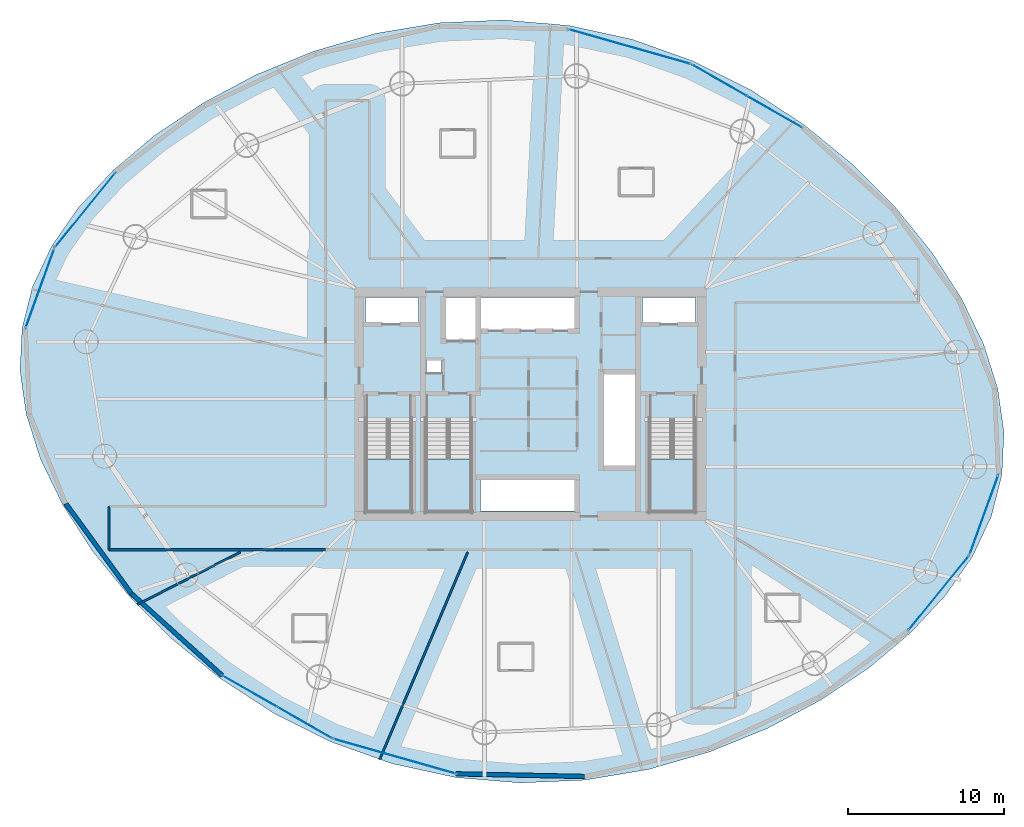
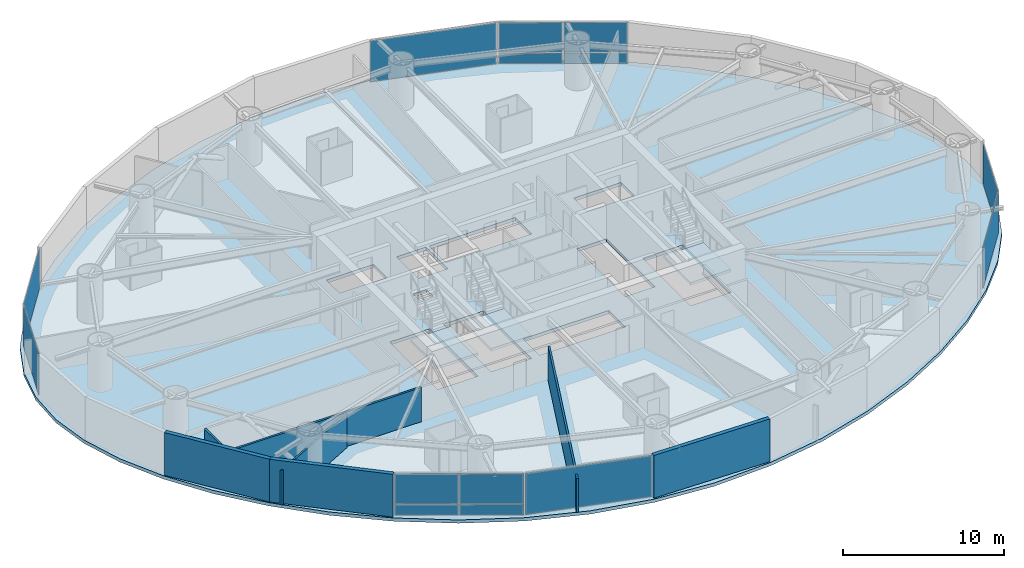
# One storey, part 15 of 23: 14 plates, 7 walls, 4 slabs, 11 elements without a shape of their own.
"""IFC4 building model written with IfcOpenShell, lengths in metres."""

from ifc_helpers import new_model, si_unit, direction, frame, frame_2d, origin, origin_2d, place, context, subcontext, project, spatial, polyline, rectangle, outline, extrude, material, layer, layer_set, type_object, element, aggregate, save


model = new_model("IFC4")

# Units and contexts
model_context = context("Model", 3, precision=1e-05, world=origin(), true_north=direction((0.0, 1.0)))
body_context = subcontext(model_context, "Body", "Model", "MODEL_VIEW")
ifc_project = project(units=[si_unit("LENGTHUNIT", "METRE"), si_unit("AREAUNIT", "SQUARE_METRE"), si_unit("VOLUMEUNIT", "CUBIC_METRE"), si_unit("PLANEANGLEUNIT", "RADIAN"), si_unit("MASSUNIT", "GRAM", prefix="KILO")], contexts=[model_context])

# Site, building, storey
site_placement = place(None, origin())
site = spatial("IfcSite", under=ifc_project, at=site_placement, CompositionType="ELEMENT")
building_placement = place(site_placement, origin())
building = spatial("IfcBuilding", under=site, at=building_placement, Name="Bramvorn Convention Spire", CompositionType="ELEMENT")
storey_placement = place(building_placement, frame((0.0, 0.0, 69.39990234375)))
storey = spatial("IfcBuildingStorey", under=building, at=storey_placement, Name="L15", CompositionType="ELEMENT", Elevation=69.39990234375)

# Curtain wall, plates
ifc_material_1 = material(Name="Anodised Bronze Unitised Curtain Wall", Category="aluminium")
ifc_layer_1 = layer(ifc_material_1, 0.179931640625)
ifc_layer_set_1 = layer_set([ifc_layer_1], Name="Anodised Bronze Unitised Curtain Wall - CW-HTL-FRIT")
curtain_wall_type = type_object("IfcCurtainWallType", Name="CW-HTL-FRIT", PredefinedType="USERDEFINED", material=ifc_layer_set_1)
curtain_wall_1_placement = place(storey_placement, origin())
curtain_wall_1 = element("IfcCurtainWall", 1, at=curtain_wall_1_placement, inside=storey, type_object=curtain_wall_type, Name="L15 fritted glass curtain wall 05", ObjectType="UNITISED CURTAIN WALL", PredefinedType="USERDEFINED")
ifc_material_2 = material(Name="Laminated Low-E Glass (Triple IGU Bronze Ceramic Frit 35%)", Category="glass")
ifc_layer_2 = layer(ifc_material_2, 0.035888671875)
ifc_layer_set_2 = layer_set([ifc_layer_2], Name="Laminated Low-E Glass (Triple IGU Bronze Ceramic Frit 35%) - PNL-IGU-1")
plate_type = type_object("IfcPlateType", Name="PNL-IGU-1", PredefinedType="CURTAIN_PANEL", material=ifc_layer_set_2)
plate_1_placement = place(storey_placement, frame((50.11865234375, 46.799560546875, 0.06005859375), z_axis=(0.0, 0.0, 1.0), x_axis=(0.867972630809, -0.496612033852, 0.0)))
plate_1 = element("IfcPlate", 2, at=plate_1_placement, type_object=plate_type, Name="CW2 panel 1.1", PredefinedType="CURTAIN_PANEL", context=body_context, shape_type="SweptSolid", body=[
    extrude(rectangle(XDim=3.995361328125, YDim=0.028076171875, at=origin_2d()), origin(), (0.0, 0.0, 1.0), 0.81005859375),
])
plate_2_placement = place(storey_placement, frame((50.11865234375, 46.799560546875, 0.93017578125), z_axis=(0.0, 0.0, 1.0), x_axis=(0.867972630809, -0.496612033852, 0.0)))
plate_2 = element("IfcPlate", 3, at=plate_2_placement, type_object=plate_type, Name="CW2 panel 1.2", PredefinedType="CURTAIN_PANEL", context=body_context, shape_type="SweptSolid", body=[
    extrude(rectangle(XDim=3.995361328125, YDim=0.028076171875, at=origin_2d()), origin(), (0.0, 0.0, 1.0), 2.260009765625),
])
plate_3_placement = place(storey_placement, frame((53.638671875, 44.78564453125, 0.06005859375), z_axis=(0.0, 0.0, 1.0), x_axis=(0.867972630809, -0.496612033852, 0.0)))
plate_3 = element("IfcPlate", 4, at=plate_3_placement, type_object=plate_type, Name="CW2 panel 2.1", PredefinedType="CURTAIN_PANEL", context=body_context, shape_type="SweptSolid", body=[
    extrude(rectangle(XDim=3.995361328125, YDim=0.028076171875, at=origin_2d()), origin(), (0.0, 0.0, 1.0), 0.81005859375),
])
plate_4_placement = place(storey_placement, frame((53.638671875, 44.78564453125, 0.93017578125), z_axis=(0.0, 0.0, 1.0), x_axis=(0.867972630809, -0.496612033852, 0.0)))
plate_4 = element("IfcPlate", 5, at=plate_4_placement, type_object=plate_type, Name="CW2 panel 2.2", PredefinedType="CURTAIN_PANEL", context=body_context, shape_type="SweptSolid", body=[
    extrude(rectangle(XDim=3.995361328125, YDim=0.028076171875, at=origin_2d()), origin(), (0.0, 0.0, 1.0), 2.260009765625),
])
aggregate(curtain_wall_1, [plate_1, plate_2, plate_3, plate_4])

# Curtain wall, plate
curtain_wall_2_placement = place(storey_placement, origin())
curtain_wall_2 = element("IfcCurtainWall", 6, at=curtain_wall_2_placement, inside=storey, type_object=curtain_wall_type, Name="L15 fritted glass curtain wall 06", ObjectType="UNITISED CURTAIN WALL", PredefinedType="USERDEFINED")
plate_5_placement = place(storey_placement, frame((44.36962890625, 48.950927734375, 0.06005859375), z_axis=(0.0, 0.0, 1.0), x_axis=(0.961710085079, -0.274068809349, 0.0)))
plate_5 = element("IfcPlate", 7, at=plate_5_placement, type_object=plate_type, Name="CW2 panel 1.1", PredefinedType="CURTAIN_PANEL", context=body_context, shape_type="SweptSolid", body=[
    extrude(rectangle(XDim=8.121337890625, YDim=0.028076171875, at=origin_2d()), origin(), (0.0, 0.0, 1.0), 3.1298828125),
])
aggregate(curtain_wall_2, [plate_5])

curtain_wall_3_placement = place(storey_placement, origin())
curtain_wall_3 = element("IfcCurtainWall", 8, at=curtain_wall_3_placement, inside=storey, type_object=curtain_wall_type, Name="L15 fritted glass curtain wall 11", ObjectType="UNITISED CURTAIN WALL", PredefinedType="USERDEFINED")
plate_6_placement = place(storey_placement, frame((9.40771484375, 38.4560546875, 0.06005859375), z_axis=(0.0, 0.0, 1.0), x_axis=(0.630289561398, 0.776360141167, 0.0)))
plate_6 = element("IfcPlate", 9, at=plate_6_placement, type_object=plate_type, Name="CW2 panel 1.1", PredefinedType="CURTAIN_PANEL", context=body_context, shape_type="SweptSolid", body=[
    extrude(rectangle(XDim=6.092041015625, YDim=0.028076171875, at=origin_2d()), origin(), (0.0, 0.0, 1.0), 3.1298828125),
])
aggregate(curtain_wall_3, [plate_6])

curtain_wall_4_placement = place(storey_placement, origin())
curtain_wall_4 = element("IfcCurtainWall", 10, at=curtain_wall_4_placement, inside=storey, type_object=curtain_wall_type, Name="L15 fritted glass curtain wall 12", ObjectType="UNITISED CURTAIN WALL", PredefinedType="USERDEFINED")
plate_7_placement = place(storey_placement, frame((6.51708984375, 33.458984375, 0.06005859375), z_axis=(0.0, 0.0, 1.0), x_axis=(0.339358369788, 0.94065716223, 0.0)))
plate_7 = element("IfcPlate", 11, at=plate_7_placement, type_object=plate_type, Name="CW2 panel 1.1", PredefinedType="CURTAIN_PANEL", context=body_context, shape_type="SweptSolid", body=[
    extrude(rectangle(XDim=5.37744140625, YDim=0.028076171875, at=origin_2d()), origin(), (0.0, 0.0, 1.0), 3.1298828125),
])
aggregate(curtain_wall_4, [plate_7])

# Curtain wall, plates
curtain_wall_5_placement = place(storey_placement, origin())
curtain_wall_5 = element("IfcCurtainWall", 12, at=curtain_wall_5_placement, inside=storey, type_object=curtain_wall_type, Name="L15 fritted glass curtain wall 17", ObjectType="UNITISED CURTAIN WALL", PredefinedType="USERDEFINED")
plate_8_placement = place(storey_placement, frame((23.508056640625, 5.55712890625, 0.06005859375), z_axis=(0.0, 0.0, 1.0), x_axis=(-0.867980924477, 0.496597537996, 0.0)))
plate_8 = element("IfcPlate", 13, at=plate_8_placement, type_object=plate_type, Name="CW2 panel 1.1", PredefinedType="CURTAIN_PANEL", context=body_context, shape_type="SweptSolid", body=[
    extrude(rectangle(XDim=3.995361328125, YDim=0.028076171875, at=origin_2d()), origin(), (0.0, 0.0, 1.0), 0.81005859375),
])
plate_9_placement = place(storey_placement, frame((23.508056640625, 5.55712890625, 0.93017578125), z_axis=(0.0, 0.0, 1.0), x_axis=(-0.867980924477, 0.496597537996, 0.0)))
plate_9 = element("IfcPlate", 14, at=plate_9_placement, type_object=plate_type, Name="CW2 panel 1.2", PredefinedType="CURTAIN_PANEL", context=body_context, shape_type="SweptSolid", body=[
    extrude(rectangle(XDim=3.995361328125, YDim=0.028076171875, at=origin_2d()), origin(), (0.0, 0.0, 1.0), 2.260009765625),
])
plate_10_placement = place(storey_placement, frame((19.988037109375, 7.571044921875, 0.06005859375), z_axis=(0.0, 0.0, 1.0), x_axis=(-0.867980924477, 0.496597537996, 0.0)))
plate_10 = element("IfcPlate", 15, at=plate_10_placement, type_object=plate_type, Name="CW2 panel 2.1", PredefinedType="CURTAIN_PANEL", context=body_context, shape_type="SweptSolid", body=[
    extrude(rectangle(XDim=3.995361328125, YDim=0.028076171875, at=origin_2d()), origin(), (0.0, 0.0, 1.0), 0.81005859375),
])
plate_11_placement = place(storey_placement, frame((19.988037109375, 7.571044921875, 0.93017578125), z_axis=(0.0, 0.0, 1.0), x_axis=(-0.867980924477, 0.496597537996, 0.0)))
plate_11 = element("IfcPlate", 16, at=plate_11_placement, type_object=plate_type, Name="CW2 panel 2.2", PredefinedType="CURTAIN_PANEL", context=body_context, shape_type="SweptSolid", body=[
    extrude(rectangle(XDim=3.995361328125, YDim=0.028076171875, at=origin_2d()), origin(), (0.0, 0.0, 1.0), 2.260009765625),
])
aggregate(curtain_wall_5, [plate_8, plate_9, plate_10, plate_11])

# Curtain wall, plate
curtain_wall_6_placement = place(storey_placement, origin())
curtain_wall_6 = element("IfcCurtainWall", 17, at=curtain_wall_6_placement, inside=storey, type_object=curtain_wall_type, Name="L15 fritted glass curtain wall 18", ObjectType="UNITISED CURTAIN WALL", PredefinedType="USERDEFINED")
plate_12_placement = place(storey_placement, frame((29.257080078125, 3.406005859375, 0.06005859375), z_axis=(0.0, 0.0, 1.0), x_axis=(-0.96170688683, 0.274080031786, 0.0)))
plate_12 = element("IfcPlate", 18, at=plate_12_placement, type_object=plate_type, Name="CW2 panel 1.1", PredefinedType="CURTAIN_PANEL", context=body_context, shape_type="SweptSolid", body=[
    extrude(rectangle(XDim=8.121337890625, YDim=0.028076171875, at=origin_2d()), origin(), (0.0, 0.0, 1.0), 3.1298828125),
])
aggregate(curtain_wall_6, [plate_12])

curtain_wall_7_placement = place(storey_placement, origin())
curtain_wall_7 = element("IfcCurtainWall", 19, at=curtain_wall_7_placement, inside=storey, type_object=curtain_wall_type, Name="L15 fritted glass curtain wall 23", ObjectType="UNITISED CURTAIN WALL", PredefinedType="USERDEFINED")
plate_13_placement = place(storey_placement, frame((64.218994140625, 13.900634765625, 0.06005859375), z_axis=(0.0, 0.0, 1.0), x_axis=(-0.630281684347, -0.7763665361, 0.0)))
plate_13 = element("IfcPlate", 20, at=plate_13_placement, type_object=plate_type, Name="CW2 panel 1.1", PredefinedType="CURTAIN_PANEL", context=body_context, shape_type="SweptSolid", body=[
    extrude(rectangle(XDim=6.092041015625, YDim=0.028076171875, at=origin_2d()), origin(), (0.0, 0.0, 1.0), 3.1298828125),
])
aggregate(curtain_wall_7, [plate_13])

curtain_wall_8_placement = place(storey_placement, origin())
curtain_wall_8 = element("IfcCurtainWall", 21, at=curtain_wall_8_placement, inside=storey, type_object=curtain_wall_type, Name="L15 fritted glass curtain wall 24", ObjectType="UNITISED CURTAIN WALL", PredefinedType="USERDEFINED")
plate_14_placement = place(storey_placement, frame((67.109619140625, 18.897705078125, 0.06005859375), z_axis=(0.0, 0.0, 1.0), x_axis=(-0.339364176592, -0.940655067305, 0.0)))
plate_14 = element("IfcPlate", 22, at=plate_14_placement, type_object=plate_type, Name="CW2 panel 1.1", PredefinedType="CURTAIN_PANEL", context=body_context, shape_type="SweptSolid", body=[
    extrude(rectangle(XDim=5.37744140625, YDim=0.028076171875, at=origin_2d()), origin(), (0.0, 0.0, 1.0), 3.1298828125),
])
aggregate(curtain_wall_8, [plate_14])

# Stair, slab
ifc_material_3 = material(Name="Concrete C40/50 Precast Stair", Category="concrete")
stair_type = type_object("IfcStairType", Name="ST-TOWER-1550", PredefinedType="HALF_TURN_STAIR", material=ifc_material_3)
stair_1_placement = place(storey_placement, origin())
stair_1 = element("IfcStair", 23, at=stair_1_placement, inside=storey, type_object=stair_type, Name="L15 Protected Exit Stair ST1", PredefinedType="HALF_TURN_STAIR")
ifc_material_4 = material(Name="Concrete C40/50 Stair Landing", Category="concrete")
ifc_layer_3 = layer(ifc_material_4, 0.219970703125)
ifc_layer_set_3 = layer_set([ifc_layer_3], Name="Concrete C40/50 Stair Landing - SLB-STAIR-LANDING")
slab_type_1 = type_object("IfcSlabType", Name="SLB-STAIR-LANDING", PredefinedType="LANDING", material=ifc_layer_set_3)
slab_1_placement = place(storey_placement, frame((0.0, 0.0, 1.550048828125)))
slab_1 = element("IfcSlab", 24, at=slab_1_placement, type_object=slab_type_1, Name="ST1 landing 1", PredefinedType="LANDING", context=body_context, shape_type="SweptSolid", body=[
    extrude(outline(polyline([(27.449951171875, 22.485107421875), (27.449951171875, 19.10009765625), (30.35009765625, 19.10009765625), (30.35009765625, 22.485107421875), (27.449951171875, 22.485107421875)])), origin(), (0.0, 0.0, 1.0), 0.199951171875),
])
aggregate(stair_1, [slab_1])

stair_2_placement = place(storey_placement, origin())
stair_2 = element("IfcStair", 25, at=stair_2_placement, inside=storey, type_object=stair_type, Name="L15 Protected Exit Stair ST2", PredefinedType="HALF_TURN_STAIR")
slab_2_placement = place(storey_placement, frame((0.0, 0.0, 1.550048828125)))
slab_2 = element("IfcSlab", 26, at=slab_2_placement, type_object=slab_type_1, Name="ST2 landing 1", PredefinedType="LANDING", context=body_context, shape_type="SweptSolid", body=[
    extrude(outline(polyline([(45.64990234375, 22.485107421875), (45.64990234375, 19.10009765625), (48.550048828125, 19.10009765625), (48.550048828125, 22.485107421875), (45.64990234375, 22.485107421875)])), origin(), (0.0, 0.0, 1.0), 0.199951171875),
])
aggregate(stair_2, [slab_2])

stair_3_placement = place(storey_placement, origin())
stair_3 = element("IfcStair", 27, at=stair_3_placement, inside=storey, type_object=stair_type, Name="L15 Protected Exit Stair ST3", PredefinedType="HALF_TURN_STAIR")
slab_3_placement = place(storey_placement, frame((0.0, 0.0, 1.550048828125)))
slab_3 = element("IfcSlab", 28, at=slab_3_placement, type_object=slab_type_1, Name="ST3 landing 1", PredefinedType="LANDING", context=body_context, shape_type="SweptSolid", body=[
    extrude(outline(polyline([(31.300048828125, 22.485107421875), (31.300048828125, 19.10009765625), (34.199951171875, 19.10009765625), (34.199951171875, 22.485107421875), (31.300048828125, 22.485107421875)])), origin(), (0.0, 0.0, 1.0), 0.199951171875),
])
aggregate(stair_3, [slab_3])

# Slab
ifc_material_5 = material(Name="Concrete C50/60", Category="concrete")
ifc_layer_4 = layer(ifc_material_5, 0.25)
ifc_layer_set_4 = layer_set([ifc_layer_4], Name="Concrete C50/60 - SLB-Z1-250")
slab_type_2 = type_object("IfcSlabType", Name="SLB-Z1-250", PredefinedType="FLOOR", material=ifc_layer_set_4)
slab_4_placement = place(storey_placement, frame((0.0, 0.0, -0.25)))
element("IfcSlab", 29, at=slab_4_placement, inside=storey, type_object=slab_type_2, Name="L15 tower floor slab", PredefinedType="FLOOR", context=body_context, shape_type="SweptSolid", body=[
    extrude(outline(polyline([(68.260009765625, 21.45068359375), (68.3955078125, 24.182861328125), (67.997802734375, 26.995361328125), (67.079345703125, 29.879150390625), (65.65966796875, 32.8115234375), (63.7646484375, 35.7509765625), (61.42529296875, 38.638427734375), (58.677734375, 41.39794921875), (55.56298828125, 43.943359375), (52.127197265625, 46.184814453125), (48.422607421875, 48.03759765625), (44.506591796875, 49.43115234375), (40.442138671875, 50.315185546875), (36.29736328125, 50.665283203125), (32.144775390625, 50.485107421875), (28.05908203125, 49.80322265625), (24.1162109375, 48.671142578125), (20.390625, 47.154052734375), (16.953125, 45.324462890625), (13.8681640625, 43.252685546875), (11.192626953125, 41.000244140625), (8.9736328125, 38.614990234375), (7.24755859375, 36.128662109375), (6.04052734375, 33.557373046875), (5.36669921875, 30.90625), (5.231201171875, 28.174072265625), (5.62890625, 25.361572265625), (6.54736328125, 22.4775390625), (7.967041015625, 19.54541015625), (9.862060546875, 16.605712890625), (12.201416015625, 13.718505859375), (14.948974609375, 10.958984375), (18.063720703125, 8.41357421875), (21.49951171875, 6.172119140625), (25.2041015625, 4.319091796875), (29.1201171875, 2.92578125), (33.1845703125, 2.041748046875), (37.329345703125, 1.69140625), (41.48193359375, 1.871826171875), (45.567626953125, 2.553466796875), (49.510498046875, 3.685791015625), (53.23583984375, 5.20263671875), (56.673583984375, 7.0322265625), (59.758544921875, 9.104248046875), (62.43408203125, 11.356689453125), (64.653076171875, 13.74169921875), (66.37890625, 16.228271484375), (67.586181640625, 18.79931640625), (68.260009765625, 21.45068359375)]), holes=[polyline([(27.449951171875, 25.050048828125), (27.449951171875, 19.10009765625), (30.35009765625, 19.10009765625), (30.35009765625, 25.050048828125), (27.449951171875, 25.050048828125)]), polyline([(45.64990234375, 25.050048828125), (45.64990234375, 19.10009765625), (48.550048828125, 19.10009765625), (48.550048828125, 25.050048828125), (45.64990234375, 25.050048828125)]), polyline([(31.300048828125, 25.050048828125), (31.300048828125, 19.10009765625), (34.199951171875, 19.10009765625), (34.199951171875, 25.050048828125), (31.300048828125, 25.050048828125)]), polyline([(27.39990234375, 31.219970703125), (30.800048828125, 31.219970703125), (30.800048828125, 32.85009765625), (27.39990234375, 32.85009765625), (27.39990234375, 31.219970703125)]), polyline([(45.199951171875, 31.219970703125), (48.60009765625, 31.219970703125), (48.60009765625, 32.85009765625), (45.199951171875, 32.85009765625), (45.199951171875, 31.219970703125)]), polyline([(32.449951171875, 30.14990234375), (34.56005859375, 30.14990234375), (34.56005859375, 32.85009765625), (32.449951171875, 32.85009765625), (32.449951171875, 30.14990234375)]), polyline([(34.800048828125, 30.800048828125), (40.97998046875, 30.800048828125), (40.97998046875, 32.85009765625), (34.800048828125, 32.85009765625), (34.800048828125, 30.800048828125)]), polyline([(34.800048828125, 19.14990234375), (40.97998046875, 19.14990234375), (40.97998046875, 21.199951171875), (34.800048828125, 21.199951171875), (34.800048828125, 19.14990234375)]), polyline([(42.6201171875, 22.0), (44.75, 22.0), (44.75, 28.0), (42.6201171875, 28.0), (42.6201171875, 22.0)]), polyline([(31.320068359375, 28.02001953125), (32.280029296875, 28.02001953125), (32.280029296875, 28.820068359375), (31.320068359375, 28.820068359375), (31.320068359375, 28.02001953125)])]), origin(), (0.0, 0.0, 1.0), 0.25),
])

# Walls
ifc_material_6 = material(Name="Precast Concrete C40/50 with Bronze Terracotta Rainscreen", Category="masonry")
ifc_layer_5 = layer(ifc_material_6, 0.300048828125)
ifc_layer_set_5 = layer_set([ifc_layer_5], Name="Precast Concrete C40/50 with Bronze Terracotta Rainscreen - WL-EXT-BRONZE-300")
wall_type_1 = type_object("IfcWallType", Name="WL-EXT-BRONZE-300", PredefinedType="SOLIDWALL", material=ifc_layer_set_5)
wall_1_placement = place(storey_placement, frame((12.37841796875, 13.84912109375, 0.0), z_axis=(0.0, 0.0, 1.0), x_axis=(-0.589022914042, 0.808116332426, 0.0)))
element("IfcWall", 30, at=wall_1_placement, inside=storey, type_object=wall_type_1, Name="L15 expressed bronze Gothic lancet pier wall 15", PredefinedType="SOLIDWALL", context=body_context, shape_type="SweptSolid", body=[
    extrude(rectangle(XDim=7.142822265625, YDim=0.280029296875, at=frame_2d((3.5712890625, 0.0))), origin(), (0.0, 0.0, 1.0), 3.25),
])
wall_2_placement = place(storey_placement, frame((18.201904296875, 8.593017578125, 0.0), z_axis=(0.0, 0.0, 1.0), x_axis=(-0.742344790323, 0.670018068623, 0.0)))
element("IfcWall", 31, at=wall_2_placement, inside=storey, type_object=wall_type_1, Name="L15 expressed bronze Gothic lancet pier wall 16", PredefinedType="SOLIDWALL", context=body_context, shape_type="SweptSolid", body=[
    extrude(rectangle(XDim=7.8447265625, YDim=0.280029296875, at=frame_2d((3.92236328125, 0.0))), origin(), (0.0, 0.0, 1.0), 3.25),
])
wall_3_placement = place(storey_placement, frame((41.45947265625, 2.10498046875, 0.0), z_axis=(0.0, 0.0, 1.0), x_axis=(-0.999783120984, 0.020825729179, 0.0)))
element("IfcWall", 32, at=wall_3_placement, inside=storey, type_object=wall_type_1, Name="L15 expressed bronze Gothic lancet pier wall 19", PredefinedType="SOLIDWALL", context=body_context, shape_type="SweptSolid", body=[
    extrude(rectangle(XDim=8.2412109375, YDim=0.280029296875, at=frame_2d((4.12060546875, 0.0))), origin(), (0.0, 0.0, 1.0), 3.25),
])
ifc_material_7 = material(Name="Metal-Stud Demountable Office Partition", Category="gypsum")
ifc_layer_6 = layer(ifc_material_7, 0.1298828125)
ifc_layer_set_6 = layer_set([ifc_layer_6], Name="Metal-Stud Demountable Office Partition - WL-PART-130")
wall_type_2 = type_object("IfcWallType", Name="WL-PART-130", PredefinedType="PARTITIONING", material=ifc_layer_set_6)
wall_4_placement = place(storey_placement, frame((19.374755859375, 16.510009765625, 0.0), z_axis=(0.0, 0.0, 1.0), x_axis=(-0.891002691838, -0.453998021073, 0.0)))
element("IfcWall", 33, at=wall_4_placement, inside=storey, type_object=wall_type_2, Name="L15 Guestroom demising wall 6", PredefinedType="PARTITIONING", context=body_context, shape_type="SweptSolid", body=[
    extrude(rectangle(XDim=7.442138671875, YDim=0.1298828125, at=frame_2d((3.72119140625, 0.0))), origin(), (0.0, 0.0, 1.0), 2.60009765625),
])
wall_5_placement = place(storey_placement, frame((33.9716796875, 16.510009765625, 0.0), z_axis=(0.0, 0.0, 1.0), x_axis=(-0.390724738728, -0.920507565719, 0.0)))
element("IfcWall", 34, at=wall_5_placement, inside=storey, type_object=wall_type_2, Name="L15 Guestroom demising wall 7", PredefinedType="PARTITIONING", context=body_context, shape_type="SweptSolid", body=[
    extrude(rectangle(XDim=14.482666015625, YDim=0.1298828125, at=frame_2d((7.2412109375, 0.0))), origin(), (0.0, 0.0, 1.0), 2.60009765625),
])
ifc_material_8 = material(Name="Acoustic Metal-Stud Tenant/Corridor Partition", Category="gypsum")
ifc_layer_7 = layer(ifc_material_8, 0.14990234375)
ifc_layer_set_7 = layer_set([ifc_layer_7], Name="Acoustic Metal-Stud Tenant/Corridor Partition - WL-PART-150")
wall_type_3 = type_object("IfcWallType", Name="WL-PART-150", PredefinedType="PARTITIONING", material=ifc_layer_set_7)
wall_6_placement = place(storey_placement, frame((10.948486328125, 16.64990234375, 0.0), z_axis=(0.0, 0.0, 1.0), x_axis=(1.0, 0.0, 0.0)))
element("IfcWall", 35, at=wall_6_placement, inside=storey, type_object=wall_type_3, Name="L15 SW pinwheel wing south wall", PredefinedType="PARTITIONING", context=body_context, shape_type="SweptSolid", body=[
    extrude(rectangle(XDim=13.901611328125, YDim=0.14990234375, at=frame_2d((6.95068359375, 0.0))), origin(), (0.0, 0.0, 1.0), 2.60009765625),
])
wall_7_placement = place(storey_placement, frame((10.948486328125, 16.64990234375, 0.0), z_axis=(0.0, 0.0, 1.0), x_axis=(0.0, 1.0, 0.0)))
element("IfcWall", 36, at=wall_7_placement, inside=storey, type_object=wall_type_3, Name="L15 SW pinwheel end wall", PredefinedType="PARTITIONING", context=body_context, shape_type="SweptSolid", body=[
    extrude(rectangle(XDim=2.800048828125, YDim=0.14990234375, at=frame_2d((1.39990234375, 0.0))), origin(), (0.0, 0.0, 1.0), 2.60009765625),
])

save(model, "model.ifc")
